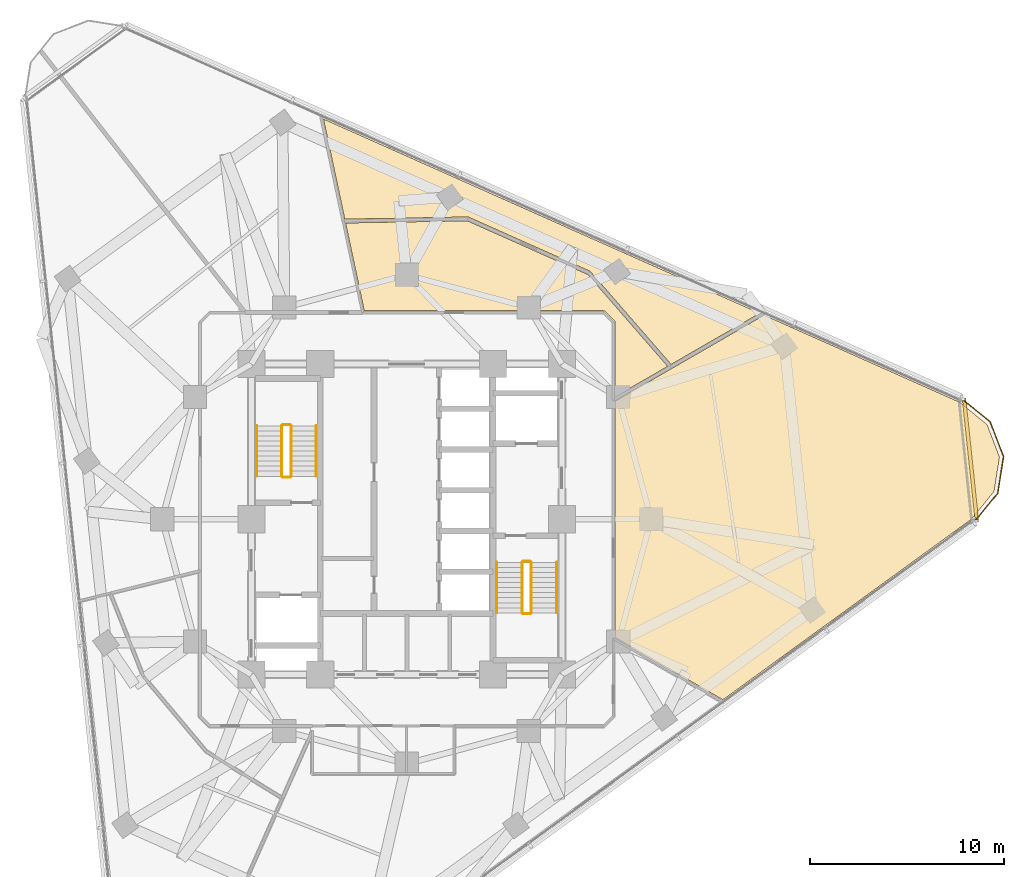
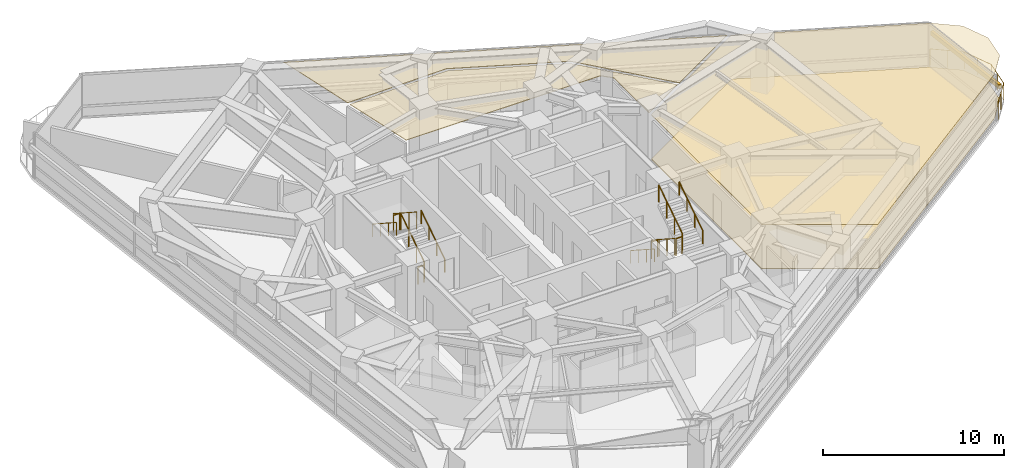
# One storey, part 13 of 14: 13 railings, 4 coverings, 1 shading device.
"""IFC4 building model written with IfcOpenShell, lengths in metres."""

from ifc_helpers import new_model, si_unit, direction, frame, origin, origin_2d, place, context, subcontext, project, spatial, polyline, rectangle, circle, outline, extrude, material, layer, layer_set, type_object, element, save


model = new_model("IFC4")

# Units and contexts
model_context = context("Model", 3, precision=1e-05, world=origin(), true_north=direction((0.0, 1.0)))
body_context = subcontext(model_context, "Body", "Model", "MODEL_VIEW")
ifc_project = project(units=[si_unit("LENGTHUNIT", "METRE"), si_unit("AREAUNIT", "SQUARE_METRE"), si_unit("VOLUMEUNIT", "CUBIC_METRE"), si_unit("PLANEANGLEUNIT", "RADIAN"), si_unit("MASSUNIT", "GRAM", prefix="KILO")], contexts=[model_context])

# Site, building, storey
site_placement = place(None, origin())
site = spatial("IfcSite", under=ifc_project, at=site_placement, CompositionType="ELEMENT")
building_placement = place(site_placement, origin())
building = spatial("IfcBuilding", under=site, at=building_placement, Name="Terralouvre Media Tower", CompositionType="ELEMENT")
storey_placement = place(building_placement, frame((0.0, 0.0, 180.5)))
storey = spatial("IfcBuildingStorey", under=building, at=storey_placement, Name="L46", CompositionType="ELEMENT", Elevation=180.5)

# Coverings
ifc_material_1 = material(Name="Resilient elastomer acoustic broadcast studio flooring")
ifc_layer_1 = layer(ifc_material_1, 0.050048828125, Name="Broadcast Studio Acoustic Floating Floor FL-AC1")
ifc_layer_set_1 = layer_set([ifc_layer_1], Name="Resilient elastomer acoustic broadcast studio flooring")
covering_type_1 = type_object("IfcCoveringType", Name="Broadcast Studio Acoustic Floating Floor FL-AC1", PredefinedType="FLOORING", material=ifc_layer_set_1)
covering_1_placement = place(storey_placement, frame((0.0, 0.0, 0.0), z_axis=(0.0, 0.0, 1.0), x_axis=(0.809016994375, 0.587785252292, 0.0)))
element("IfcCovering", 1, at=covering_1_placement, inside=storey, type_object=covering_type_1, Name="L46 Podcast Editing Creative Workshop 4 Acoustic Floating Floor", PredefinedType="FLOORING", context=body_context, shape_type="SweptSolid", body=[
    extrude(outline(polyline([(12.27734375, -1.390625), (5.116455078125, -11.24658203125), (7.724853515625, -17.105224609375), (23.571044921875, -17.105224609375), (25.335693359375, -16.63232421875), (26.60693359375, -15.36181640625), (27.072509765625, -13.6259765625), (26.598876953125, -11.860595703125), (21.08984375, -2.31689453125), (15.61767578125, -1.7421875), (12.27734375, -1.390625)])), origin(), (0.0, 0.0, 1.0), 0.050048828125),
])
ifc_material_2 = material(Name="Perforated aluminium acoustic ceiling baffle", Category="aluminium")
ifc_layer_2 = layer(ifc_material_2, 0.0400390625, Name="Perforated Acoustic Metal Tile Ceiling CL-AC1")
ifc_layer_set_2 = layer_set([ifc_layer_2], Name="Perforated aluminium acoustic ceiling baffle")
covering_type_2 = type_object("IfcCoveringType", Name="Perforated Acoustic Metal Tile Ceiling CL-AC1", PredefinedType="CEILING", material=ifc_layer_set_2)
covering_2_placement = place(storey_placement, frame((0.0, 0.0, 2.97998046875), z_axis=(0.0, 0.0, 1.0), x_axis=(0.809016994375, 0.587785252292, 0.0)))
element("IfcCovering", 2, at=covering_2_placement, inside=storey, type_object=covering_type_2, Name="L46 Podcast Editing Creative Workshop 4 Acoustic Ceiling", PredefinedType="CEILING", context=body_context, shape_type="SweptSolid", body=[
    extrude(outline(polyline([(12.27734375, -1.390625), (5.116455078125, -11.24658203125), (7.724853515625, -17.105224609375), (23.571044921875, -17.105224609375), (25.335693359375, -16.63232421875), (26.60693359375, -15.36181640625), (27.072509765625, -13.6259765625), (26.598876953125, -11.860595703125), (21.08984375, -2.31689453125), (15.61767578125, -1.7421875), (12.27734375, -1.390625)])), origin(), (0.0, 0.0, 1.0), 0.0400390625),
])
covering_3_placement = place(storey_placement, frame((0.0, 0.0, 2.97998046875), z_axis=(0.0, 0.0, 1.0), x_axis=(0.809016994375, 0.587785252292, 0.0)))
element("IfcCovering", 3, at=covering_3_placement, inside=storey, type_object=covering_type_2, Name="L46 Staff Quiet Reading Club 5 Acoustic Ceiling", PredefinedType="CEILING", context=body_context, shape_type="SweptSolid", body=[
    extrude(outline(polyline([(11.70654296875, 10.75634765625), (11.715087890625, 10.749755859375), (11.722900390625, 10.7421875), (11.729736328125, 10.733642578125), (11.73583984375, 10.724609375), (15.1552734375, 4.80126953125), (15.16015625, 4.79150390625), (15.1640625, 4.781494140625), (15.166748046875, 4.770751953125), (15.168212890625, 4.760009765625), (15.720458984375, -1.552001953125), (20.96630859375, -2.102783203125), (8.6611328125, 19.20849609375), (6.5166015625, 14.390380859375), (11.70654296875, 10.75634765625)])), origin(), (0.0, 0.0, 1.0), 0.0400390625),
])
covering_4_placement = place(storey_placement, frame((0.0, 0.0, 2.97998046875), z_axis=(0.0, 0.0, 1.0), x_axis=(0.809016994375, 0.587785252292, 0.0)))
element("IfcCovering", 4, at=covering_4_placement, inside=storey, type_object=covering_type_2, Name="L46 Barista Coffee Tea Pantry 6 Acoustic Ceiling", PredefinedType="CEILING", context=body_context, shape_type="SweptSolid", body=[
    extrude(outline(polyline([(14.970947265625, 4.720458984375), (11.573486328125, 10.605224609375), (6.433837890625, 14.2041015625), (4.552490234375, 9.97998046875), (14.5302734375, 2.73095703125), (14.537841796875, 2.724853515625), (14.544921875, 2.718017578125), (14.55126953125, 2.71044921875), (14.556640625, 2.7021484375), (14.561279296875, 2.693603515625), (14.565185546875, 2.6845703125), (14.568115234375, 2.67529296875), (14.570068359375, 2.665771484375), (14.680908203125, 1.96728515625), (14.681884765625, 1.95751953125), (14.681884765625, 1.94775390625), (14.68115234375, 1.93798828125), (14.67919921875, 1.92822265625), (14.676513671875, 1.918701171875), (14.6728515625, 1.90966796875), (14.668212890625, 1.901123046875), (14.662841796875, 1.892822265625), (12.4130859375, -1.203857421875), (15.51806640625, -1.530517578125), (14.970947265625, 4.720458984375)])), origin(), (0.0, 0.0, 1.0), 0.0400390625),
])

# Railings
ifc_material_3 = material(Name="Stainless steel 316 handrail and balustrade", Category="steel")
ifc_layer_3 = layer(ifc_material_3, 0.06005859375, Name="Roof Edge Safety Guardrail GR-ROOF1")
ifc_layer_set_3 = layer_set([ifc_layer_3], Name="Stainless steel 316 handrail and balustrade")
railing_type_1 = type_object("IfcRailingType", Name="Roof Edge Safety Guardrail GR-ROOF1", PredefinedType="GUARDRAIL", material=ifc_layer_set_3)
railing_1_placement = place(storey_placement, frame((29.261474609375, -0.144775390625, 0.0)))
element("IfcRailing", 5, at=railing_1_placement, inside=storey, type_object=railing_type_1, Name="L46 Wind-Corner Perimeter Safety Guardrail C1", PredefinedType="GUARDRAIL", context=body_context, shape_type="SweptSolid", body=[
    extrude(circle(Radius=0.02099609375, at=origin_2d()), frame((0.0, 0.0, 1.12890625), z_axis=(0.629487951206, 0.777010244004, 0.0), x_axis=(-0.777010244004, 0.629487951206, 0.0)), (0.0, 0.0, 1.0), 1.914794921875),
    extrude(circle(Radius=0.02099609375, at=origin_2d()), frame((1.205322265625, 1.48779296875, 1.12890625), z_axis=(0.156493053434, 0.987679059324, 0.0), x_axis=(-0.987679059324, 0.156493053434, 0.0)), (0.0, 0.0, 1.0), 1.914306640625),
    extrude(circle(Radius=0.02099609375, at=origin_2d()), frame((1.5048828125, 3.37841796875, 1.12890625), z_axis=(-0.358380762009, 0.933575508152, 0.0), x_axis=(-0.933575508152, -0.358380762009, 0.0)), (0.0, 0.0, 1.0), 1.914306640625),
    extrude(circle(Radius=0.02099609375, at=origin_2d()), frame((0.81884765625, 5.16552734375, 1.12890625), z_axis=(-0.777298317119, 0.629132200896, 0.0), x_axis=(-0.629132200896, -0.777298317119, 0.0)), (0.0, 0.0, 1.0), 1.914794921875),
    extrude(circle(Radius=0.01904296875, at=origin_2d()), origin(), (0.0, 0.0, 1.0), 1.10791015625),
    extrude(circle(Radius=0.01904296875, at=origin_2d()), frame((0.6025390625, 0.743896484375, 0.0)), (0.0, 0.0, 1.0), 1.10791015625),
    extrude(circle(Radius=0.01904296875, at=origin_2d()), frame((1.205322265625, 1.48779296875, 0.0)), (0.0, 0.0, 1.0), 1.10791015625),
    extrude(circle(Radius=0.01904296875, at=origin_2d()), frame((1.35498046875, 2.43310546875, 0.0)), (0.0, 0.0, 1.0), 1.10791015625),
    extrude(circle(Radius=0.01904296875, at=origin_2d()), frame((1.5048828125, 3.37841796875, 0.0)), (0.0, 0.0, 1.0), 1.10791015625),
    extrude(circle(Radius=0.01904296875, at=origin_2d()), frame((1.161865234375, 4.27197265625, 0.0)), (0.0, 0.0, 1.0), 1.10791015625),
    extrude(circle(Radius=0.01904296875, at=origin_2d()), frame((0.81884765625, 5.16552734375, 0.0)), (0.0, 0.0, 1.0), 1.10791015625),
    extrude(circle(Radius=0.01904296875, at=origin_2d()), frame((0.07470703125, 5.767822265625, 0.0)), (0.0, 0.0, 1.0), 1.10791015625),
    extrude(circle(Radius=0.01904296875, at=origin_2d()), frame((-0.66943359375, 6.3701171875, 0.0)), (0.0, 0.0, 1.0), 1.10791015625),
])
ifc_material_4 = material(Name="Stainless steel 316 handrail and balustrade", Category="steel")
ifc_layer_4 = layer(ifc_material_4, 0.050048828125, Name="Stair Flight Wall Handrail HR-INT1")
ifc_layer_set_4 = layer_set([ifc_layer_4], Name="Stainless steel 316 handrail and balustrade")
railing_type_2 = type_object("IfcRailingType", Name="Stair Flight Wall Handrail HR-INT1", PredefinedType="HANDRAIL", material=ifc_layer_set_4)
railing_2_placement = place(storey_placement, frame((-4.64990234375, 2.219970703125, 0.168212890625)))
element("IfcRailing", 6, at=railing_2_placement, inside=storey, type_object=railing_type_2, Name="L46 ST-01 stair handrail 1", PredefinedType="HANDRAIL", context=body_context, shape_type="SweptSolid", body=[
    extrude(circle(Radius=0.02392578125, at=origin_2d()), frame((0.0, 0.0, 0.8759765625), z_axis=(0.0, 0.839648411786, 0.543130320075), x_axis=(-1.0, 0.0, 0.0)), (0.0, 0.0, 1.0), 3.0966796875),
    extrude(circle(Radius=0.02099609375, at=origin_2d()), origin(), (0.0, 0.0, 1.0), 0.851806640625),
    extrude(circle(Radius=0.02099609375, at=origin_2d()), frame((0.0, 0.86669921875, 0.560546875)), (0.0, 0.0, 1.0), 0.851806640625),
    extrude(circle(Radius=0.02099609375, at=origin_2d()), frame((0.0, 1.7333984375, 1.121337890625)), (0.0, 0.0, 1.0), 0.851806640625),
    extrude(circle(Radius=0.02099609375, at=origin_2d()), frame((0.0, 2.60009765625, 1.681884765625)), (0.0, 0.0, 1.0), 0.851806640625),
])
for number, where, name in (
    (7, (-7.72998046875, 4.820068359375, 2.01806640625), "L46 ST-01 stair handrail 2"),
    (8, (4.64990234375, -2.219970703125, 0.168212890625), "L46 ST-02 stair handrail 1"),
):
    element("IfcRailing", number, at=place(storey_placement, frame(where)), inside=storey, type_object=railing_type_2, Name=name, PredefinedType="HANDRAIL", context=body_context, shape_type="SweptSolid", body=[
        extrude(circle(Radius=0.02392578125, at=origin_2d()), frame((0.0, 0.0, 0.8759765625), z_axis=(0.0, -0.839648411786, 0.543130320075), x_axis=(1.0, 0.0, 0.0)), (0.0, 0.0, 1.0), 3.0966796875),
        extrude(circle(Radius=0.02099609375, at=origin_2d()), origin(), (0.0, 0.0, 1.0), 0.851806640625),
        extrude(circle(Radius=0.02099609375, at=origin_2d()), frame((0.0, -0.86669921875, 0.560546875)), (0.0, 0.0, 1.0), 0.851806640625),
        extrude(circle(Radius=0.02099609375, at=origin_2d()), frame((0.0, -1.7333984375, 1.121337890625)), (0.0, 0.0, 1.0), 0.851806640625),
        extrude(circle(Radius=0.02099609375, at=origin_2d()), frame((0.0, -2.60009765625, 1.681884765625)), (0.0, 0.0, 1.0), 0.851806640625),
    ])
railing_3_placement = place(storey_placement, frame((7.72998046875, -4.820068359375, 2.01806640625)))
element("IfcRailing", 9, at=railing_3_placement, inside=storey, type_object=railing_type_2, Name="L46 ST-02 stair handrail 2", PredefinedType="HANDRAIL", context=body_context, shape_type="SweptSolid", body=[
    extrude(circle(Radius=0.02392578125, at=origin_2d()), frame((0.0, 0.0, 0.8759765625), z_axis=(0.0, 0.839648411786, 0.543130320075), x_axis=(-1.0, 0.0, 0.0)), (0.0, 0.0, 1.0), 3.0966796875),
    extrude(circle(Radius=0.02099609375, at=origin_2d()), origin(), (0.0, 0.0, 1.0), 0.851806640625),
    extrude(circle(Radius=0.02099609375, at=origin_2d()), frame((0.0, 0.86669921875, 0.560546875)), (0.0, 0.0, 1.0), 0.851806640625),
    extrude(circle(Radius=0.02099609375, at=origin_2d()), frame((0.0, 1.7333984375, 1.121337890625)), (0.0, 0.0, 1.0), 0.851806640625),
    extrude(circle(Radius=0.02099609375, at=origin_2d()), frame((0.0, 2.60009765625, 1.681884765625)), (0.0, 0.0, 1.0), 0.851806640625),
])
ifc_material_5 = material(Name="Stainless steel 316 handrail and balustrade", Category="steel")
ifc_layer_5 = layer(ifc_material_5, 0.050048828125, Name="Stairwell Safety Guardrail GR-INT1")
ifc_layer_set_5 = layer_set([ifc_layer_5], Name="Stainless steel 316 handrail and balustrade")
railing_type_3 = type_object("IfcRailingType", Name="Stairwell Safety Guardrail GR-INT1", PredefinedType="GUARDRAIL", material=ifc_layer_set_5)
railing_4_placement = place(storey_placement, frame((-5.949951171875, 2.219970703125, 0.168212890625)))
element("IfcRailing", 10, at=railing_4_placement, inside=storey, type_object=railing_type_3, Name="L46 ST-01 stair guard 1", PredefinedType="GUARDRAIL", context=body_context, shape_type="SweptSolid", body=[
    extrude(circle(Radius=0.02392578125, at=origin_2d()), frame((0.0, 0.0, 1.1259765625), z_axis=(0.0, 0.839648411786, 0.543130320075), x_axis=(-1.0, 0.0, 0.0)), (0.0, 0.0, 1.0), 3.0966796875),
    extrude(circle(Radius=0.02099609375, at=origin_2d()), origin(), (0.0, 0.0, 1.0), 1.101806640625),
    extrude(circle(Radius=0.02099609375, at=origin_2d()), frame((0.0, 0.86669921875, 0.560546875)), (0.0, 0.0, 1.0), 1.101806640625),
    extrude(circle(Radius=0.02099609375, at=origin_2d()), frame((0.0, 1.7333984375, 1.121337890625)), (0.0, 0.0, 1.0), 1.101806640625),
    extrude(circle(Radius=0.02099609375, at=origin_2d()), frame((0.0, 2.60009765625, 1.681884765625)), (0.0, 0.0, 1.0), 1.101806640625),
])
railing_5_placement = place(storey_placement, frame((-6.0, 4.8701171875, 1.85009765625)))
element("IfcRailing", 11, at=railing_5_placement, inside=storey, type_object=railing_type_3, Name="L46 ST-01 stair guard 2", PredefinedType="GUARDRAIL", context=body_context, shape_type="SweptSolid", body=[
    extrude(circle(Radius=0.02392578125, at=origin_2d()), frame((0.0, 0.0, 1.1259765625), z_axis=(-1.0, 0.0, 0.0), x_axis=(0.0, -1.0, 0.0)), (0.0, 0.0, 1.0), 0.3798828125),
    extrude(circle(Radius=0.02099609375, at=origin_2d()), origin(), (0.0, 0.0, 1.0), 1.101806640625),
    extrude(circle(Radius=0.02099609375, at=origin_2d()), frame((-0.3798828125, 0.0, 0.0)), (0.0, 0.0, 1.0), 1.101806640625),
])
railing_6_placement = place(storey_placement, frame((-6.429931640625, 4.820068359375, 2.01806640625)))
element("IfcRailing", 12, at=railing_6_placement, inside=storey, type_object=railing_type_3, Name="L46 ST-01 stair guard 3", PredefinedType="GUARDRAIL", context=body_context, shape_type="SweptSolid", body=[
    extrude(circle(Radius=0.02392578125, at=origin_2d()), frame((0.0, 0.0, 1.1259765625), z_axis=(0.0, -0.839648411786, 0.543130320075), x_axis=(1.0, 0.0, 0.0)), (0.0, 0.0, 1.0), 3.0966796875),
    extrude(circle(Radius=0.02099609375, at=origin_2d()), origin(), (0.0, 0.0, 1.0), 1.101806640625),
    extrude(circle(Radius=0.02099609375, at=origin_2d()), frame((0.0, -0.86669921875, 0.560546875)), (0.0, 0.0, 1.0), 1.101806640625),
    extrude(circle(Radius=0.02099609375, at=origin_2d()), frame((0.0, -1.7333984375, 1.121337890625)), (0.0, 0.0, 1.0), 1.101806640625),
    extrude(circle(Radius=0.02099609375, at=origin_2d()), frame((0.0, -2.60009765625, 1.681884765625)), (0.0, 0.0, 1.0), 1.101806640625),
])
railing_7_placement = place(storey_placement, frame((-6.0, 2.169921875, 0.0)))
element("IfcRailing", 13, at=railing_7_placement, inside=storey, type_object=railing_type_3, Name="L46 ST-01 stair guard 4", PredefinedType="GUARDRAIL", context=body_context, shape_type="SweptSolid", body=[
    extrude(circle(Radius=0.02392578125, at=origin_2d()), frame((0.0, 0.0, 1.1259765625), z_axis=(-1.0, 0.0, 0.0), x_axis=(0.0, -1.0, 0.0)), (0.0, 0.0, 1.0), 0.3798828125),
    extrude(circle(Radius=0.02099609375, at=origin_2d()), origin(), (0.0, 0.0, 1.0), 1.101806640625),
    extrude(circle(Radius=0.02099609375, at=origin_2d()), frame((-0.3798828125, 0.0, 0.0)), (0.0, 0.0, 1.0), 1.101806640625),
])
railing_8_placement = place(storey_placement, frame((5.949951171875, -2.219970703125, 0.168212890625)))
element("IfcRailing", 14, at=railing_8_placement, inside=storey, type_object=railing_type_3, Name="L46 ST-02 stair guard 1", PredefinedType="GUARDRAIL", context=body_context, shape_type="SweptSolid", body=[
    extrude(circle(Radius=0.02392578125, at=origin_2d()), frame((0.0, 0.0, 1.1259765625), z_axis=(0.0, -0.839648411786, 0.543130320075), x_axis=(1.0, 0.0, 0.0)), (0.0, 0.0, 1.0), 3.0966796875),
    extrude(circle(Radius=0.02099609375, at=origin_2d()), origin(), (0.0, 0.0, 1.0), 1.101806640625),
    extrude(circle(Radius=0.02099609375, at=origin_2d()), frame((0.0, -0.86669921875, 0.560546875)), (0.0, 0.0, 1.0), 1.101806640625),
    extrude(circle(Radius=0.02099609375, at=origin_2d()), frame((0.0, -1.7333984375, 1.121337890625)), (0.0, 0.0, 1.0), 1.101806640625),
    extrude(circle(Radius=0.02099609375, at=origin_2d()), frame((0.0, -2.60009765625, 1.681884765625)), (0.0, 0.0, 1.0), 1.101806640625),
])
railing_9_placement = place(storey_placement, frame((6.0, -4.8701171875, 1.85009765625)))
element("IfcRailing", 15, at=railing_9_placement, inside=storey, type_object=railing_type_3, Name="L46 ST-02 stair guard 2", PredefinedType="GUARDRAIL", context=body_context, shape_type="SweptSolid", body=[
    extrude(circle(Radius=0.02392578125, at=origin_2d()), frame((0.0, 0.0, 1.1259765625), z_axis=(1.0, 0.0, 0.0), x_axis=(0.0, 1.0, 0.0)), (0.0, 0.0, 1.0), 0.3798828125),
    extrude(circle(Radius=0.02099609375, at=origin_2d()), origin(), (0.0, 0.0, 1.0), 1.101806640625),
    extrude(circle(Radius=0.02099609375, at=origin_2d()), frame((0.3798828125, 0.0, 0.0)), (0.0, 0.0, 1.0), 1.101806640625),
])
railing_10_placement = place(storey_placement, frame((6.429931640625, -4.820068359375, 2.01806640625)))
element("IfcRailing", 16, at=railing_10_placement, inside=storey, type_object=railing_type_3, Name="L46 ST-02 stair guard 3", PredefinedType="GUARDRAIL", context=body_context, shape_type="SweptSolid", body=[
    extrude(circle(Radius=0.02392578125, at=origin_2d()), frame((0.0, 0.0, 1.1259765625), z_axis=(0.0, 0.839648411786, 0.543130320075), x_axis=(-1.0, 0.0, 0.0)), (0.0, 0.0, 1.0), 3.0966796875),
    extrude(circle(Radius=0.02099609375, at=origin_2d()), origin(), (0.0, 0.0, 1.0), 1.101806640625),
    extrude(circle(Radius=0.02099609375, at=origin_2d()), frame((0.0, 0.86669921875, 0.560546875)), (0.0, 0.0, 1.0), 1.101806640625),
    extrude(circle(Radius=0.02099609375, at=origin_2d()), frame((0.0, 1.7333984375, 1.121337890625)), (0.0, 0.0, 1.0), 1.101806640625),
    extrude(circle(Radius=0.02099609375, at=origin_2d()), frame((0.0, 2.60009765625, 1.681884765625)), (0.0, 0.0, 1.0), 1.101806640625),
])
railing_11_placement = place(storey_placement, frame((6.0, -2.169921875, 0.0)))
element("IfcRailing", 17, at=railing_11_placement, inside=storey, type_object=railing_type_3, Name="L46 ST-02 stair guard 4", PredefinedType="GUARDRAIL", context=body_context, shape_type="SweptSolid", body=[
    extrude(circle(Radius=0.02392578125, at=origin_2d()), frame((0.0, 0.0, 1.1259765625), z_axis=(1.0, 0.0, 0.0), x_axis=(0.0, 1.0, 0.0)), (0.0, 0.0, 1.0), 0.3798828125),
    extrude(circle(Radius=0.02099609375, at=origin_2d()), origin(), (0.0, 0.0, 1.0), 1.101806640625),
    extrude(circle(Radius=0.02099609375, at=origin_2d()), frame((0.3798828125, 0.0, 0.0)), (0.0, 0.0, 1.0), 1.101806640625),
])

# Shading device
ifc_material_6 = material(Name="Extruded terracotta baguette sunshade louvres", Category="masonry")
shading_device_type = type_object("IfcShadingDeviceType", Name="Terracotta Baguette Sunshade Louvre Screen TB-LV1", PredefinedType="USERDEFINED", material=ifc_material_6)
shading_device_placement = place(storey_placement, frame((29.060791015625, 3.054443359375, 2.02392578125), z_axis=(0.0, 0.0, 1.0), x_axis=(-0.10452850319, 0.994521891172, 0.0)))
element("IfcShadingDevice", 18, at=shading_device_placement, inside=storey, type_object=shading_device_type, Name="CW-L46-C1 Terracotta Baguette Sunshade Louvre", ObjectType="BAGUETTE", PredefinedType="USERDEFINED", context=body_context, shape_type="SweptSolid", body=[
    extrude(rectangle(XDim=6.40869140625, YDim=0.179931640625, at=origin_2d()), origin(), (0.0, 0.0, 1.0), 0.280029296875),
])

save(model, "model.ifc")
